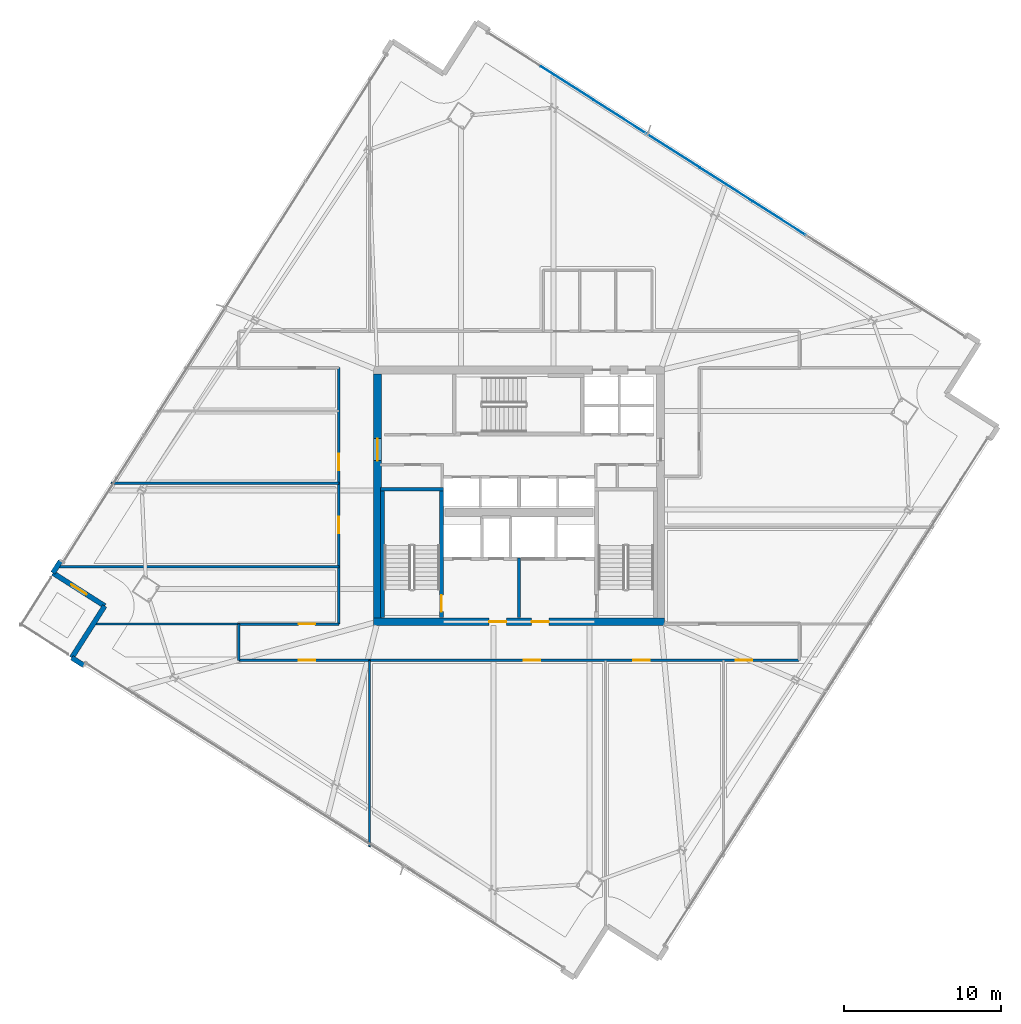
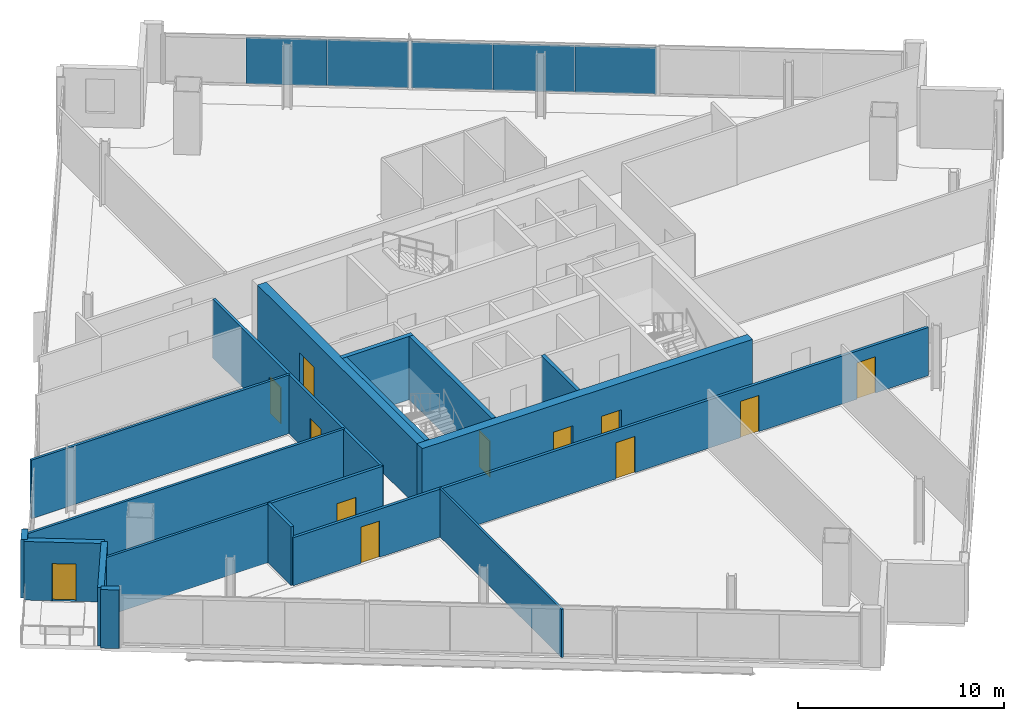
# One storey, part 22 of 30: 18 walls, 12 doors, 5 plates, 12 openings, 1 element without a shape of its own.
"""IFC4 building model written with IfcOpenShell, lengths in metres."""

from ifc_helpers import new_model, si_unit, direction, frame, frame_2d, origin, origin_2d, place, context, subcontext, project, spatial, rectangle, extrude, source, transform, mapped, material, layer, layer_set, type_object, element, fill, aggregate, save


model = new_model("IFC4")

# Units and contexts
model_context = context("Model", 3, precision=1e-05, world=origin(), true_north=direction((0.0, 1.0)))
body_context = subcontext(model_context, "Body", "Model", "MODEL_VIEW")
ifc_project = project(units=[si_unit("LENGTHUNIT", "METRE"), si_unit("AREAUNIT", "SQUARE_METRE"), si_unit("VOLUMEUNIT", "CUBIC_METRE"), si_unit("PLANEANGLEUNIT", "RADIAN"), si_unit("MASSUNIT", "GRAM", prefix="KILO")], contexts=[model_context])

# Site, building, storey
site_placement = place(None, origin())
site = spatial("IfcSite", under=ifc_project, at=site_placement, CompositionType="ELEMENT")
building_placement = place(site_placement, origin())
building = spatial("IfcBuilding", under=site, at=building_placement, Name="Haldenkirk Collegiate Tower", CompositionType="ELEMENT")
storey_placement = place(building_placement, frame((0.0, 0.0, 220.949951171875)))
storey = spatial("IfcBuildingStorey", under=building, at=storey_placement, Name="L55", CompositionType="ELEMENT", Elevation=220.949951171875)

# Curtain wall, plates
ifc_material_1 = material(Name="Anodised architectural bronze aluminium", Category="aluminium")
curtain_wall_type = type_object("IfcCurtainWallType", Name="CW-SYS1B-CONVEX-HI", PredefinedType="USERDEFINED", material=ifc_material_1)
curtain_wall_placement = place(storey_placement, origin())
curtain_wall = element("IfcCurtainWall", 1, at=curtain_wall_placement, inside=storey, type_object=curtain_wall_type, Name="L55 Upper tower high-wind convex bronze unitised curtain wall", ObjectType="UNITISED CURTAIN WALL", PredefinedType="USERDEFINED")
ifc_material_2 = material(Name="Bronze-anodised insulated aluminium spandrel panel", Category="aluminium")
ifc_layer_1 = layer(ifc_material_2, 0.048095703125)
ifc_layer_set_1 = layer_set([ifc_layer_1], Name="Bronze-anodised insulated aluminium spandrel panel")
plate_type_1 = type_object("IfcPlateType", Name="CW-SPD-1B", PredefinedType="CURTAIN_PANEL", material=ifc_layer_set_1)
shared_shape_1 = source(origin(), body_context, "Body", "SweptSolid", [
    extrude(rectangle(XDim=3.953369140625, YDim=0.048095703125, at=origin_2d()), origin(), (0.0, 0.0, 1.0), 2.758056640625),
])
plate_1_placement = place(storey_placement, frame((42.408935546875, 50.100830078125, 0.0849609375), z_axis=(0.0, 0.0, 1.0), x_axis=(0.843391321447, -0.537299803563, 0.0)))
plate_1 = element("IfcPlate", 2, at=plate_1_placement, type_object=plate_type_1, Name="CW-1B spandrel panel 1.1c", PredefinedType="CURTAIN_PANEL", context=body_context, shape_type="MappedRepresentation", body=[
    mapped(shared_shape_1, transform((0.0, 0.0, 0.0), x_axis=(1.0, 0.0, 0.0), y_axis=(0.0, 1.0, 0.0), z_axis=(0.0, 0.0, 1.0), scale=1.0)),
])
shared_shape_2 = source(origin(), body_context, "Body", "SweptSolid", [
    extrude(rectangle(XDim=3.94091796875, YDim=0.048095703125, at=origin_2d()), origin(), (0.0, 0.0, 1.0), 2.758056640625),
])
plate_2_placement = place(storey_placement, frame((39.05908203125, 52.235107421875, 0.0849609375), z_axis=(0.0, 0.0, 1.0), x_axis=(0.843391321447, -0.537299803563, 0.0)))
plate_2 = element("IfcPlate", 3, at=plate_2_placement, type_object=plate_type_1, Name="CW-1B spandrel panel 1.1b", PredefinedType="CURTAIN_PANEL", context=body_context, shape_type="MappedRepresentation", body=[
    mapped(shared_shape_2, transform((0.0, 0.0, 0.0), x_axis=(1.0, 0.0, 0.0), y_axis=(0.0, 1.0, 0.0), z_axis=(0.0, 0.0, 1.0), scale=1.0)),
])
ifc_material_3 = material(Name="Low-E argon triple insulating glass", Category="glass")
ifc_layer_2 = layer(ifc_material_3, 0.048095703125)
ifc_layer_set_2 = layer_set([ifc_layer_2], Name="Low-E argon triple insulating glass")
plate_type_2 = type_object("IfcPlateType", Name="CW-PNL-1B", PredefinedType="CURTAIN_PANEL", material=ifc_layer_set_2)
shared_shape_3 = source(origin(), body_context, "Body", "SweptSolid", [
    extrude(rectangle(XDim=3.967529296875, YDim=0.048095703125, at=origin_2d()), origin(), (0.0, 0.0, 1.0), 2.758056640625),
])
plate_3_placement = place(storey_placement, frame((45.82080078125, 47.92724609375, 0.0849609375), z_axis=(0.0, 0.0, 1.0), x_axis=(0.843391321447, -0.537299803563, 0.0)))
plate_3 = element("IfcPlate", 4, at=plate_3_placement, type_object=plate_type_2, Name="CW-1B panel 2.1a", PredefinedType="CURTAIN_PANEL", context=body_context, shape_type="MappedRepresentation", body=[
    mapped(shared_shape_3, transform((0.0, 0.0, 0.0), x_axis=(1.0, 0.0, 0.0), y_axis=(0.0, 1.0, 0.0), z_axis=(0.0, 0.0, 1.0), scale=1.0)),
])
plate_4_placement = place(storey_placement, frame((52.544921875, 43.643798828125, 0.0849609375), z_axis=(0.0, 0.0, 1.0), x_axis=(0.843391321447, -0.537299803563, 0.0)))
plate_4 = element("IfcPlate", 5, at=plate_4_placement, type_object=plate_type_1, Name="CW-1B spandrel panel 2.1c", PredefinedType="CURTAIN_PANEL", context=body_context, shape_type="MappedRepresentation", body=[
    mapped(shared_shape_3, transform((0.0, 0.0, 0.0), x_axis=(1.0, 0.0, 0.0), y_axis=(0.0, 1.0, 0.0), z_axis=(0.0, 0.0, 1.0), scale=1.0)),
])
shared_shape_4 = source(origin(), body_context, "Body", "SweptSolid", [
    extrude(rectangle(XDim=3.955078125, YDim=0.048095703125, at=origin_2d()), origin(), (0.0, 0.0, 1.0), 2.758056640625),
])
plate_5_placement = place(storey_placement, frame((49.182861328125, 45.785400390625, 0.0849609375), z_axis=(0.0, 0.0, 1.0), x_axis=(0.843391321447, -0.537299803563, 0.0)))
plate_5 = element("IfcPlate", 6, at=plate_5_placement, type_object=plate_type_1, Name="CW-1B spandrel panel 2.1b", PredefinedType="CURTAIN_PANEL", context=body_context, shape_type="MappedRepresentation", body=[
    mapped(shared_shape_4, transform((0.0, 0.0, 0.0), x_axis=(1.0, 0.0, 0.0), y_axis=(0.0, 1.0, 0.0), z_axis=(0.0, 0.0, 1.0), scale=1.0)),
])
aggregate(curtain_wall, [plate_2, plate_1, plate_3, plate_5, plate_4])

# Wall, openings, doors
ifc_material_4 = material(Name="Concrete f'c 55 MPa", Category="concrete")
ifc_layer_3 = layer(ifc_material_4, 0.5)
ifc_layer_set_3 = layer_set([ifc_layer_3], Name="Concrete f'c 55 MPa")
wall_type_1 = type_object("IfcWallType", Name="WL-CORE-500", PredefinedType="SHEAR", material=ifc_layer_set_3)
wall_1_placement = place(storey_placement, frame((26.75, 18.0, 0.0), z_axis=(0.0, 0.0, 1.0), x_axis=(1.0, 0.0, 0.0)))
wall_1 = element("IfcWall", 7, at=wall_1_placement, inside=storey, type_object=wall_type_1, Name="L55 central core shear wall S", PredefinedType="SHEAR", context=body_context, shape_type="SweptSolid", body=[
    extrude(rectangle(XDim=18.5, YDim=0.5, at=frame_2d((9.25, 0.0))), origin(), (0.0, 0.0, 1.0), 3.75),
])
opening_1_placement = place(wall_1_placement, frame((7.35009765625, 0.0, 0.0)))
opening_1 = element("IfcOpeningElement", 8, at=opening_1_placement, cuts=wall_1, Name="Opening D-02", PredefinedType="OPENING", context=body_context, shape_type="SweptSolid", body=[
    extrude(rectangle(XDim=1.10009765625, YDim=2.14990234375, at=frame_2d((0.550048828125, 1.074951171875))), frame((0.0, 0.260009765625, 0.0), z_axis=(0.0, -1.0, 0.0), x_axis=(1.0, 0.0, 0.0)), (0.0, 0.0, 1.0), 0.52001953125),
])
opening_2_placement = place(wall_1_placement, frame((10.050048828125, 0.0, 0.0)))
opening_2 = element("IfcOpeningElement", 9, at=opening_2_placement, cuts=wall_1, Name="Opening D-02", PredefinedType="OPENING", context=body_context, shape_type="SweptSolid", body=[
    extrude(rectangle(XDim=1.10009765625, YDim=2.14990234375, at=frame_2d((0.550048828125, 1.074951171875))), frame((0.0, 0.260009765625, 0.0), z_axis=(0.0, -1.0, 0.0), x_axis=(1.0, 0.0, 0.0)), (0.0, 0.0, 1.0), 0.52001953125),
])
ifc_material_5 = material(Name="Galvanized fire-rated hollow steel door", Category="steel")
ifc_layer_4 = layer(ifc_material_5, 0.06005859375)
ifc_layer_set_4 = layer_set([ifc_layer_4], Name="Galvanized fire-rated hollow steel door")
door_type_1 = type_object("IfcDoorType", Name="DR-STAIR-FD90-1100", OperationType="NOTDEFINED", PredefinedType="DOOR", material=ifc_layer_set_4)
door_1_placement = place(opening_1_placement, origin())
door_1 = element("IfcDoor", 10, at=door_1_placement, inside=storey, type_object=door_type_1, Name="L55 Firefighting Lobby 1 door", OperationType="SINGLE_SWING_LEFT", OverallHeight=2.14990234375, OverallWidth=1.10009765625, PredefinedType="DOOR", context=body_context, shape_type="SweptSolid", body=[
    extrude(rectangle(XDim=1.10009765625, YDim=2.14990234375, at=frame_2d((0.550048828125, 1.074951171875))), frame((0.0, 0.02490234375, 0.0), z_axis=(0.0, -1.0, 0.0), x_axis=(1.0, 0.0, 0.0)), (0.0, 0.0, 1.0), 0.050048828125),
])
fill(opening_1, door_1)
door_2_placement = place(opening_2_placement, origin())
door_2 = element("IfcDoor", 11, at=door_2_placement, inside=storey, type_object=door_type_1, Name="L55 Firefighting Lobby 2 door", OperationType="SINGLE_SWING_RIGHT", OverallHeight=2.14990234375, OverallWidth=1.10009765625, PredefinedType="DOOR", context=body_context, shape_type="SweptSolid", body=[
    extrude(rectangle(XDim=1.10009765625, YDim=2.14990234375, at=frame_2d((0.550048828125, 1.074951171875))), frame((0.0, 0.02490234375, 0.0), z_axis=(0.0, -1.0, 0.0), x_axis=(1.0, 0.0, 0.0)), (0.0, 0.0, 1.0), 0.050048828125),
])
fill(opening_2, door_2)

# Wall, opening, door
wall_2_placement = place(storey_placement, frame((27.0, 18.25, 0.0), z_axis=(0.0, 0.0, 1.0), x_axis=(0.0, 1.0, 0.0)))
wall_2 = element("IfcWall", 12, at=wall_2_placement, inside=storey, type_object=wall_type_1, Name="L55 central core shear wall W", PredefinedType="SHEAR", context=body_context, shape_type="SweptSolid", body=[
    extrude(rectangle(XDim=15.5, YDim=0.5, at=frame_2d((7.75, 0.0))), origin(), (0.0, 0.0, 1.0), 3.75),
])
opening_3_placement = place(wall_2_placement, frame((9.989990234375, 0.0, 0.0)))
opening_3 = element("IfcOpeningElement", 13, at=opening_3_placement, cuts=wall_2, Name="Opening D-03", PredefinedType="OPENING", context=body_context, shape_type="SweptSolid", body=[
    extrude(rectangle(XDim=1.39990234375, YDim=2.199951171875, at=frame_2d((0.699951171875, 1.10009765625))), frame((0.0, 0.260009765625, 0.0), z_axis=(0.0, -1.0, 0.0), x_axis=(1.0, 0.0, 0.0)), (0.0, 0.0, 1.0), 0.52001953125),
])
ifc_layer_5 = layer(ifc_material_5, 0.06005859375)
ifc_layer_set_5 = layer_set([ifc_layer_5], Name="Galvanized fire-rated hollow steel door")
door_type_2 = type_object("IfcDoorType", Name="DR-LOBBY-FD90-1400", OperationType="NOTDEFINED", PredefinedType="DOOR", material=ifc_layer_set_5)
door_3_placement = place(opening_3_placement, origin())
door_3 = element("IfcDoor", 14, at=door_3_placement, inside=storey, type_object=door_type_2, Name="L55 west lift lobby portal", OperationType="DOUBLE_DOOR_SINGLE_SWING", OverallHeight=2.199951171875, OverallWidth=1.39990234375, PredefinedType="DOOR", context=body_context, shape_type="SweptSolid", body=[
    extrude(rectangle(XDim=1.39990234375, YDim=2.199951171875, at=frame_2d((0.699951171875, 1.10009765625))), frame((0.0, 0.02490234375, 0.0), z_axis=(0.0, -1.0, 0.0), x_axis=(1.0, 0.0, 0.0)), (0.0, 0.0, 1.0), 0.050048828125),
])
fill(opening_3, door_3)

# Wall
ifc_material_6 = material(Name="Precast concrete f'c 40 MPa", Category="concrete")
ifc_layer_6 = layer(ifc_material_6, 0.320068359375)
ifc_layer_set_6 = layer_set([ifc_layer_6], Name="Precast concrete f'c 40 MPa")
wall_type_2 = type_object("IfcWallType", Name="WL-EXT-TWR-320", PredefinedType="STANDARD", material=ifc_layer_set_6)
wall_3_placement = place(storey_placement, frame((6.377197265625, 21.0986328125, 0.0), z_axis=(0.0, 0.0, 1.0), x_axis=(0.537366861127, 0.843348597297, 0.0)))
element("IfcWall", 15, at=wall_3_placement, inside=storey, type_object=wall_type_2, Name="L55 precast corner pier NL", PredefinedType="STANDARD", context=body_context, shape_type="SweptSolid", body=[
    extrude(rectangle(XDim=0.89990234375, YDim=0.320068359375, at=frame_2d((0.449951171875, 0.0))), origin(), (0.0, 0.0, 1.0), 3.469970703125),
])

# Wall, opening, door
wall_4_placement = place(storey_placement, frame((9.66650390625, 19.003173828125, 0.0), z_axis=(0.0, 0.0, 1.0), x_axis=(-0.8433984701, 0.537288582266, 0.0)))
wall_4 = element("IfcWall", 16, at=wall_4_placement, inside=storey, type_object=wall_type_2, Name="L55 bronze precast notch wall 08", PredefinedType="STANDARD", context=body_context, shape_type="SweptSolid", body=[
    extrude(rectangle(XDim=3.900146484375, YDim=0.320068359375, at=frame_2d((1.9501953125, 0.0))), origin(), (0.0, 0.0, 1.0), 3.469970703125),
])
opening_4_placement = place(wall_4_placement, frame((1.375, 0.0, 0.0)))
opening_4 = element("IfcOpeningElement", 17, at=opening_4_placement, cuts=wall_4, Name="Opening D-ST11", PredefinedType="OPENING", context=body_context, shape_type="SweptSolid", body=[
    extrude(rectangle(XDim=1.14990234375, YDim=2.199951171875, at=frame_2d((0.574951171875, 1.10009765625))), frame((0.0, 0.169921875, 0.0), z_axis=(0.0, -1.0, 0.0), x_axis=(1.0, 0.0, 0.0)), (0.0, 0.0, 1.0), 0.340087890625),
])
ifc_layer_7 = layer(ifc_material_1, 0.080078125)
ifc_layer_set_7 = layer_set([ifc_layer_7], Name="Anodised architectural bronze aluminium")
door_type_3 = type_object("IfcDoorType", Name="DR-EXT-STER-1150", OperationType="NOTDEFINED", PredefinedType="DOOR", material=ifc_layer_set_7)
door_4_placement = place(opening_4_placement, origin())
door_4 = element("IfcDoor", 18, at=door_4_placement, inside=storey, type_object=door_type_3, Name="L55 spiralling terrace door", OperationType="SINGLE_SWING_RIGHT", OverallHeight=2.199951171875, OverallWidth=1.14990234375, PredefinedType="DOOR", context=body_context, shape_type="SweptSolid", body=[
    extrude(rectangle(XDim=1.14990234375, YDim=2.199951171875, at=frame_2d((0.574951171875, 1.10009765625))), frame((0.0, 0.02490234375, 0.0), z_axis=(0.0, -1.0, 0.0), x_axis=(1.0, 0.0, 0.0)), (0.0, 0.0, 1.0), 0.050048828125),
])
fill(opening_4, door_4)

# Walls
wall_5_placement = place(storey_placement, frame((7.571044921875, 15.714111328125, 0.0), z_axis=(0.0, 0.0, 1.0), x_axis=(0.537316950166, 0.843380397605, 0.0)))
element("IfcWall", 19, at=wall_5_placement, inside=storey, type_object=wall_type_2, Name="L55 bronze precast notch wall 09", PredefinedType="STANDARD", context=body_context, shape_type="SweptSolid", body=[
    extrude(rectangle(XDim=3.89990234375, YDim=0.320068359375, at=frame_2d((1.949951171875, 0.0))), origin(), (0.0, 0.0, 1.0), 3.469970703125),
])
wall_6_placement = place(storey_placement, frame((8.330078125, 15.23046875, 0.0), z_axis=(0.0, 0.0, 1.0), x_axis=(-0.843348597297, 0.537366861127, 0.0)))
element("IfcWall", 20, at=wall_6_placement, inside=storey, type_object=wall_type_2, Name="L55 precast corner pier WR", PredefinedType="STANDARD", context=body_context, shape_type="SweptSolid", body=[
    extrude(rectangle(XDim=0.89990234375, YDim=0.320068359375, at=frame_2d((0.449951171875, 0.0))), origin(), (0.0, 0.0, 1.0), 3.469970703125),
])

# Wall, openings, doors
ifc_material_7 = material(Name="Acoustic fire-rated gypsum partition", Category="concrete")
ifc_layer_8 = layer(ifc_material_7, 0.159912109375)
ifc_layer_set_8 = layer_set([ifc_layer_8], Name="Acoustic fire-rated gypsum partition")
wall_type_3 = type_object("IfcWallType", Name="WL-INT-CORR-160", PredefinedType="PARTITIONING", material=ifc_layer_set_8)
wall_7_placement = place(storey_placement, frame((18.199951171875, 15.550048828125, 0.0), z_axis=(0.0, 0.0, 1.0), x_axis=(1.0, 0.0, 0.0)))
wall_7 = element("IfcWall", 21, at=wall_7_placement, inside=storey, type_object=wall_type_3, Name="L55 interior partition IW-L55-CS", PredefinedType="PARTITIONING", context=body_context, shape_type="SweptSolid", body=[
    extrude(rectangle(XDim=35.60009765625, YDim=0.159912109375, at=frame_2d((17.800048828125, 0.0))), origin(), (0.0, 0.0, 1.0), 2.84912109375),
])
opening_5_placement = place(wall_7_placement, frame((3.791015625, 0.0, 0.0)))
opening_5 = element("IfcOpeningElement", 22, at=opening_5_placement, cuts=wall_7, Name="Opening D-09", PredefinedType="OPENING", context=body_context, shape_type="SweptSolid", body=[
    extrude(rectangle(XDim=1.050048828125, YDim=2.14990234375, at=frame_2d((0.52490234375, 1.074951171875))), frame((0.0, 0.08984375, 0.0), z_axis=(0.0, -1.0, 0.0), x_axis=(1.0, 0.0, 0.0)), (0.0, 0.0, 1.0), 0.179931640625),
])
opening_6_placement = place(wall_7_placement, frame((18.094970703125, 0.0, 0.0)))
opening_6 = element("IfcOpeningElement", 23, at=opening_6_placement, cuts=wall_7, Name="Opening D-09", PredefinedType="OPENING", context=body_context, shape_type="SweptSolid", body=[
    extrude(rectangle(XDim=1.050048828125, YDim=2.14990234375, at=frame_2d((0.52490234375, 1.074951171875))), frame((0.0, 0.08984375, 0.0), z_axis=(0.0, -1.0, 0.0), x_axis=(1.0, 0.0, 0.0)), (0.0, 0.0, 1.0), 0.179931640625),
])
opening_7_placement = place(wall_7_placement, frame((25.054931640625, 0.0, 0.0)))
opening_7 = element("IfcOpeningElement", 24, at=opening_7_placement, cuts=wall_7, Name="Opening D-09", PredefinedType="OPENING", context=body_context, shape_type="SweptSolid", body=[
    extrude(rectangle(XDim=1.050048828125, YDim=2.14990234375, at=frame_2d((0.52490234375, 1.074951171875))), frame((0.0, 0.08984375, 0.0), z_axis=(0.0, -1.0, 0.0), x_axis=(1.0, 0.0, 0.0)), (0.0, 0.0, 1.0), 0.179931640625),
])
opening_8_placement = place(wall_7_placement, frame((31.5849609375, 0.0, 0.0)))
opening_8 = element("IfcOpeningElement", 25, at=opening_8_placement, cuts=wall_7, Name="Opening D-09", PredefinedType="OPENING", context=body_context, shape_type="SweptSolid", body=[
    extrude(rectangle(XDim=1.050048828125, YDim=2.14990234375, at=frame_2d((0.52490234375, 1.074951171875))), frame((0.0, 0.08984375, 0.0), z_axis=(0.0, -1.0, 0.0), x_axis=(1.0, 0.0, 0.0)), (0.0, 0.0, 1.0), 0.179931640625),
])
ifc_material_8 = material(Name="Solid-core architectural oak fire door", Category="wood")
ifc_layer_9 = layer(ifc_material_8, 0.06005859375)
ifc_layer_set_9 = layer_set([ifc_layer_9], Name="Solid-core architectural oak fire door")
door_type_4 = type_object("IfcDoorType", Name="DR-INT-FD60-1050", OperationType="NOTDEFINED", PredefinedType="DOOR", material=ifc_layer_set_9)
door_5_placement = place(opening_5_placement, origin())
door_5 = element("IfcDoor", 26, at=door_5_placement, inside=storey, type_object=door_type_4, Name="L55 Academic Press Bookshop 1 door", OperationType="SINGLE_SWING_LEFT", OverallHeight=2.14990234375, OverallWidth=1.050048828125, PredefinedType="DOOR", context=body_context, shape_type="SweptSolid", body=[
    extrude(rectangle(XDim=1.050048828125, YDim=2.14990234375, at=frame_2d((0.52490234375, 1.074951171875))), frame((0.0, 0.02490234375, 0.0), z_axis=(0.0, -1.0, 0.0), x_axis=(1.0, 0.0, 0.0)), (0.0, 0.0, 1.0), 0.050048828125),
])
fill(opening_5, door_5)
door_6_placement = place(opening_6_placement, origin())
door_6 = element("IfcDoor", 27, at=door_6_placement, inside=storey, type_object=door_type_4, Name="L55 Campus Print Shop 2 door", OperationType="SINGLE_SWING_RIGHT", OverallHeight=2.14990234375, OverallWidth=1.050048828125, PredefinedType="DOOR", context=body_context, shape_type="SweptSolid", body=[
    extrude(rectangle(XDim=1.050048828125, YDim=2.14990234375, at=frame_2d((0.52490234375, 1.074951171875))), frame((0.0, 0.02490234375, 0.0), z_axis=(0.0, -1.0, 0.0), x_axis=(1.0, 0.0, 0.0)), (0.0, 0.0, 1.0), 0.050048828125),
])
fill(opening_6, door_6)
door_7_placement = place(opening_7_placement, origin())
door_7 = element("IfcDoor", 28, at=door_7_placement, inside=storey, type_object=door_type_4, Name="L55 Model Supply Shop 3 door", OperationType="SINGLE_SWING_LEFT", OverallHeight=2.14990234375, OverallWidth=1.050048828125, PredefinedType="DOOR", context=body_context, shape_type="SweptSolid", body=[
    extrude(rectangle(XDim=1.050048828125, YDim=2.14990234375, at=frame_2d((0.52490234375, 1.074951171875))), frame((0.0, 0.02490234375, 0.0), z_axis=(0.0, -1.0, 0.0), x_axis=(1.0, 0.0, 0.0)), (0.0, 0.0, 1.0), 0.050048828125),
])
fill(opening_7, door_7)
door_8_placement = place(opening_8_placement, origin())
door_8 = element("IfcDoor", 29, at=door_8_placement, inside=storey, type_object=door_type_4, Name="L55 Departmental Archive 4 door", OperationType="SINGLE_SWING_RIGHT", OverallHeight=2.14990234375, OverallWidth=1.050048828125, PredefinedType="DOOR", context=body_context, shape_type="SweptSolid", body=[
    extrude(rectangle(XDim=1.050048828125, YDim=2.14990234375, at=frame_2d((0.52490234375, 1.074951171875))), frame((0.0, 0.02490234375, 0.0), z_axis=(0.0, -1.0, 0.0), x_axis=(1.0, 0.0, 0.0)), (0.0, 0.0, 1.0), 0.050048828125),
])
fill(opening_8, door_8)

# Wall, opening, door
wall_8_placement = place(storey_placement, frame((18.199951171875, 17.85009765625, 0.0), z_axis=(0.0, 0.0, 1.0), x_axis=(1.0, 0.0, 0.0)))
wall_8 = element("IfcWall", 30, at=wall_8_placement, inside=storey, type_object=wall_type_3, Name="L55 interior partition IW-L55-CSW", PredefinedType="PARTITIONING", context=body_context, shape_type="SweptSolid", body=[
    extrude(rectangle(XDim=6.35009765625, YDim=0.159912109375, at=frame_2d((3.175048828125, 0.0))), origin(), (0.0, 0.0, 1.0), 3.469970703125),
])
opening_9_placement = place(wall_8_placement, frame((3.79296875, 0.0, 0.0)))
opening_9 = element("IfcOpeningElement", 31, at=opening_9_placement, cuts=wall_8, Name="Opening D-09", PredefinedType="OPENING", context=body_context, shape_type="SweptSolid", body=[
    extrude(rectangle(XDim=1.050048828125, YDim=2.14990234375, at=frame_2d((0.52490234375, 1.074951171875))), frame((0.0, 0.08984375, 0.0), z_axis=(0.0, -1.0, 0.0), x_axis=(1.0, 0.0, 0.0)), (0.0, 0.0, 1.0), 0.179931640625),
])
door_9_placement = place(opening_9_placement, origin())
door_9 = element("IfcDoor", 32, at=door_9_placement, inside=storey, type_object=door_type_4, Name="L55 Academic Press Bookshop 7 door", OperationType="SINGLE_SWING_LEFT", OverallHeight=2.14990234375, OverallWidth=1.050048828125, PredefinedType="DOOR", context=body_context, shape_type="SweptSolid", body=[
    extrude(rectangle(XDim=1.050048828125, YDim=2.14990234375, at=frame_2d((0.52490234375, 1.074951171875))), frame((0.0, 0.02490234375, 0.0), z_axis=(0.0, -1.0, 0.0), x_axis=(1.0, 0.0, 0.0)), (0.0, 0.0, 1.0), 0.050048828125),
])
fill(opening_9, door_9)

# Wall, openings, doors
wall_9_placement = place(storey_placement, frame((24.550048828125, 17.85009765625, 0.0), z_axis=(0.0, 0.0, 1.0), x_axis=(0.0, 1.0, 0.0)))
wall_9 = element("IfcWall", 33, at=wall_9_placement, inside=storey, type_object=wall_type_3, Name="L55 interior partition IW-L55-CW", PredefinedType="PARTITIONING", context=body_context, shape_type="SweptSolid", body=[
    extrude(rectangle(XDim=16.2998046875, YDim=0.159912109375, at=frame_2d((8.14990234375, 0.0))), origin(), (0.0, 0.0, 1.0), 3.469970703125),
])
opening_10_placement = place(wall_9_placement, frame((5.77490234375, 0.0, 0.0)))
opening_10 = element("IfcOpeningElement", 34, at=opening_10_placement, cuts=wall_9, Name="Opening D-09", PredefinedType="OPENING", context=body_context, shape_type="SweptSolid", body=[
    extrude(rectangle(XDim=1.050048828125, YDim=2.14990234375, at=frame_2d((0.52490234375, 1.074951171875))), frame((0.0, 0.08984375, 0.0), z_axis=(0.0, -1.0, 0.0), x_axis=(1.0, 0.0, 0.0)), (0.0, 0.0, 1.0), 0.179931640625),
])
opening_11_placement = place(wall_9_placement, frame((9.777099609375, 0.0, 0.0)))
opening_11 = element("IfcOpeningElement", 35, at=opening_11_placement, cuts=wall_9, Name="Opening D-09", PredefinedType="OPENING", context=body_context, shape_type="SweptSolid", body=[
    extrude(rectangle(XDim=1.050048828125, YDim=2.14990234375, at=frame_2d((0.52490234375, 1.074951171875))), frame((0.0, 0.08984375, 0.0), z_axis=(0.0, -1.0, 0.0), x_axis=(1.0, 0.0, 0.0)), (0.0, 0.0, 1.0), 0.179931640625),
])
door_10_placement = place(opening_10_placement, origin())
door_10 = element("IfcDoor", 36, at=door_10_placement, inside=storey, type_object=door_type_4, Name="L55 Campus Print Shop 8 door", OperationType="SINGLE_SWING_RIGHT", OverallHeight=2.14990234375, OverallWidth=1.050048828125, PredefinedType="DOOR", context=body_context, shape_type="SweptSolid", body=[
    extrude(rectangle(XDim=1.050048828125, YDim=2.14990234375, at=frame_2d((0.52490234375, 1.074951171875))), frame((0.0, 0.02490234375, 0.0), z_axis=(0.0, -1.0, 0.0), x_axis=(1.0, 0.0, 0.0)), (0.0, 0.0, 1.0), 0.050048828125),
])
fill(opening_10, door_10)
door_11_placement = place(opening_11_placement, origin())
door_11 = element("IfcDoor", 37, at=door_11_placement, inside=storey, type_object=door_type_4, Name="L55 Model Supply Shop 9 door", OperationType="SINGLE_SWING_LEFT", OverallHeight=2.14990234375, OverallWidth=1.050048828125, PredefinedType="DOOR", context=body_context, shape_type="SweptSolid", body=[
    extrude(rectangle(XDim=1.050048828125, YDim=2.14990234375, at=frame_2d((0.52490234375, 1.074951171875))), frame((0.0, 0.02490234375, 0.0), z_axis=(0.0, -1.0, 0.0), x_axis=(1.0, 0.0, 0.0)), (0.0, 0.0, 1.0), 0.050048828125),
])
fill(opening_11, door_11)

# Walls
wall_10_placement = place(storey_placement, frame((18.199951171875, 15.550048828125, 0.0), z_axis=(0.0, 0.0, 1.0), x_axis=(0.0, 1.0, 0.0)))
element("IfcWall", 38, at=wall_10_placement, inside=storey, type_object=wall_type_3, Name="L55 interior partition IW-L55-CSL", PredefinedType="PARTITIONING", context=body_context, shape_type="SweptSolid", body=[
    extrude(rectangle(XDim=2.300048828125, YDim=0.159912109375, at=frame_2d((1.14990234375, 0.0))), origin(), (0.0, 0.0, 1.0), 3.469970703125),
])
ifc_layer_10 = layer(ifc_material_7, 0.139892578125)
ifc_layer_set_10 = layer_set([ifc_layer_10], Name="Acoustic fire-rated gypsum partition")
wall_type_4 = type_object("IfcWallType", Name="WL-INT-DIV-140", PredefinedType="PARTITIONING", material=ifc_layer_set_10)
wall_11_placement = place(storey_placement, frame((8.979248046875, 17.85009765625, 0.0), z_axis=(0.0, 0.0, 1.0), x_axis=(1.0, 0.0, 0.0)))
element("IfcWall", 39, at=wall_11_placement, inside=storey, type_object=wall_type_4, Name="L55 interior partition IW-L55-BWS", PredefinedType="PARTITIONING", context=body_context, shape_type="SweptSolid", body=[
    extrude(rectangle(XDim=9.220703125, YDim=0.139892578125, at=frame_2d((4.6103515625, 0.0))), origin(), (0.0, 0.0, 1.0), 3.469970703125),
])
wall_12_placement = place(storey_placement, frame((6.680419921875, 21.5, 0.0), z_axis=(0.0, 0.0, 1.0), x_axis=(1.0, 0.0, 0.0)))
element("IfcWall", 40, at=wall_12_placement, inside=storey, type_object=wall_type_4, Name="L55 interior partition IW-L55-RW1", PredefinedType="PARTITIONING", context=body_context, shape_type="SweptSolid", body=[
    extrude(rectangle(XDim=17.86962890625, YDim=0.139892578125, at=frame_2d((8.934814453125, 0.0))), origin(), (0.0, 0.0, 1.0), 3.469970703125),
])
wall_13_placement = place(storey_placement, frame((10.056884765625, 26.800048828125, 0.0), z_axis=(0.0, 0.0, 1.0), x_axis=(1.0, 0.0, 0.0)))
element("IfcWall", 41, at=wall_13_placement, inside=storey, type_object=wall_type_4, Name="L55 interior partition IW-L55-RW2", PredefinedType="PARTITIONING", context=body_context, shape_type="SweptSolid", body=[
    extrude(rectangle(XDim=14.4931640625, YDim=0.139892578125, at=frame_2d((7.24658203125, 0.0))), origin(), (0.0, 0.0, 1.0), 3.469970703125),
])
ifc_material_9 = material(Name="Fire-rated gypsum shaftboard assembly", Category="concrete")
ifc_layer_11 = layer(ifc_material_9, 0.199951171875)
ifc_layer_set_11 = layer_set([ifc_layer_11], Name="Fire-rated gypsum shaftboard assembly")
wall_type_5 = type_object("IfcWallType", Name="WL-INT-SHAFT-200", PredefinedType="PARTITIONING", material=ifc_layer_set_11)
wall_14_placement = place(storey_placement, frame((36.0, 18.280029296875, 0.0), z_axis=(0.0, 0.0, 1.0), x_axis=(0.0, 1.0, 0.0)))
element("IfcWall", 42, at=wall_14_placement, inside=storey, type_object=wall_type_5, Name="L55 interior partition IW-L55-FFLM", PredefinedType="PARTITIONING", context=body_context, shape_type="SweptSolid", body=[
    extrude(rectangle(XDim=3.77001953125, YDim=0.199951171875, at=frame_2d((1.885009765625, 0.0))), origin(), (0.0, 0.0, 1.0), 3.469970703125),
])
ifc_layer_12 = layer(ifc_material_7, 0.1201171875)
ifc_layer_set_12 = layer_set([ifc_layer_12], Name="Acoustic fire-rated gypsum partition")
wall_type_6 = type_object("IfcWallType", Name="WL-INT-WET-120", PredefinedType="PARTITIONING", material=ifc_layer_set_12)
wall_15_placement = place(storey_placement, frame((26.5, 3.702392578125, 0.0), z_axis=(0.0, 0.0, 1.0), x_axis=(0.0, 1.0, 0.0)))
element("IfcWall", 43, at=wall_15_placement, inside=storey, type_object=wall_type_6, Name="L55 interior partition IW-L55-RS1", PredefinedType="PARTITIONING", context=body_context, shape_type="SweptSolid", body=[
    extrude(rectangle(XDim=11.84765625, YDim=0.1201171875, at=frame_2d((5.923828125, 0.0))), origin(), (0.0, 0.0, 1.0), 2.84912109375),
])

# Wall, opening, door
ifc_layer_13 = layer(ifc_material_4, 0.239990234375)
ifc_layer_set_13 = layer_set([ifc_layer_13], Name="Concrete f'c 55 MPa")
wall_type_7 = type_object("IfcWallType", Name="WL-SHAFT-240", PredefinedType="SHEAR", material=ifc_layer_set_13)
wall_16_placement = place(storey_placement, frame((31.070068359375, 18.280029296875, 0.0), z_axis=(0.0, 0.0, 1.0), x_axis=(0.0, 1.0, 0.0)))
wall_16 = element("IfcWall", 44, at=wall_16_placement, inside=storey, type_object=wall_type_7, Name="L55 stair shaft shear wall SW-L55-ST1E", PredefinedType="SHEAR", context=body_context, shape_type="SweptSolid", body=[
    extrude(rectangle(XDim=8.260009765625, YDim=0.239990234375, at=frame_2d((4.1298828125, 0.0))), origin(), (0.0, 0.0, 1.0), 3.75),
])
opening_12_placement = place(wall_16_placement, frame((0.364990234375, 0.0, 0.0)))
opening_12 = element("IfcOpeningElement", 45, at=opening_12_placement, cuts=wall_16, Name="Opening D-01", PredefinedType="OPENING", context=body_context, shape_type="SweptSolid", body=[
    extrude(rectangle(XDim=1.050048828125, YDim=2.14990234375, at=frame_2d((0.52490234375, 1.074951171875))), frame((0.0, 0.1298828125, 0.0), z_axis=(0.0, -1.0, 0.0), x_axis=(1.0, 0.0, 0.0)), (0.0, 0.0, 1.0), 0.260009765625),
])
ifc_layer_14 = layer(ifc_material_5, 0.06005859375)
ifc_layer_set_14 = layer_set([ifc_layer_14], Name="Galvanized fire-rated hollow steel door")
door_type_5 = type_object("IfcDoorType", Name="DR-STAIR-FD90-1050", OperationType="NOTDEFINED", PredefinedType="DOOR", material=ifc_layer_set_14)
door_12_placement = place(opening_12_placement, origin())
door_12 = element("IfcDoor", 46, at=door_12_placement, inside=storey, type_object=door_type_5, Name="L55 Stair 1 door", OperationType="SINGLE_SWING_LEFT", OverallHeight=2.14990234375, OverallWidth=1.050048828125, PredefinedType="DOOR", context=body_context, shape_type="SweptSolid", body=[
    extrude(rectangle(XDim=1.050048828125, YDim=2.14990234375, at=frame_2d((0.52490234375, 1.074951171875))), frame((0.0, 0.02490234375, 0.0), z_axis=(0.0, -1.0, 0.0), x_axis=(1.0, 0.0, 0.0)), (0.0, 0.0, 1.0), 0.050048828125),
])
fill(opening_12, door_12)

# Walls
wall_17_placement = place(storey_placement, frame((27.2099609375, 26.419921875, 0.0), z_axis=(0.0, 0.0, 1.0), x_axis=(1.0, 0.0, 0.0)))
element("IfcWall", 47, at=wall_17_placement, inside=storey, type_object=wall_type_7, Name="L55 stair shaft shear wall SW-L55-ST1N", PredefinedType="SHEAR", context=body_context, shape_type="SweptSolid", body=[
    extrude(rectangle(XDim=3.97998046875, YDim=0.239990234375, at=frame_2d((1.989990234375, 0.0))), origin(), (0.0, 0.0, 1.0), 3.75),
])
wall_18_placement = place(storey_placement, frame((27.330078125, 18.280029296875, 0.0), z_axis=(0.0, 0.0, 1.0), x_axis=(0.0, 1.0, 0.0)))
element("IfcWall", 48, at=wall_18_placement, inside=storey, type_object=wall_type_7, Name="L55 stair shaft shear wall SW-L55-ST1W", PredefinedType="SHEAR", context=body_context, shape_type="SweptSolid", body=[
    extrude(rectangle(XDim=8.260009765625, YDim=0.239990234375, at=frame_2d((4.1298828125, 0.0))), origin(), (0.0, 0.0, 1.0), 3.75),
])

save(model, "model.ifc")
